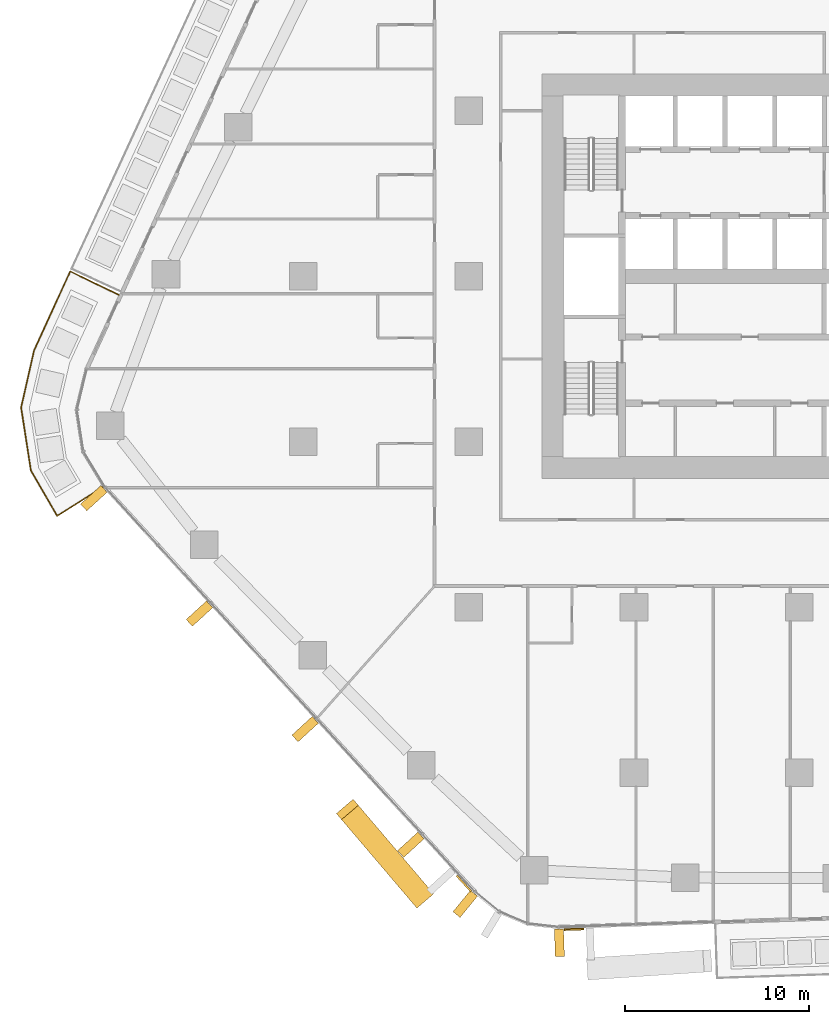
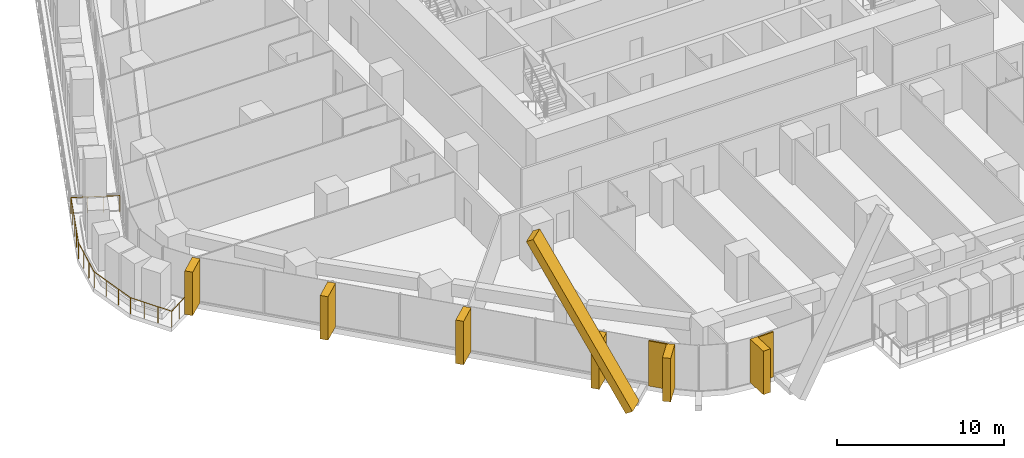
# One storey, part 21 of 27: 9 coverings, 1 railing, 3 elements without a shape of their own.
"""IFC4 building model written with IfcOpenShell, lengths in metres."""

from ifc_helpers import new_model, si_unit, direction, frame, origin, origin_2d, place, context, subcontext, project, spatial, rectangle, circle, extrude, material, layer, layer_set, material_profile, profile_set, type_object, element, aggregate, save


model = new_model("IFC4")

# Units and contexts
model_context = context("Model", 3, precision=1e-05, world=origin(), true_north=direction((0.0, 1.0)))
body_context = subcontext(model_context, "Body", "Model", "MODEL_VIEW")
ifc_project = project(units=[si_unit("LENGTHUNIT", "METRE"), si_unit("AREAUNIT", "SQUARE_METRE"), si_unit("VOLUMEUNIT", "CUBIC_METRE"), si_unit("PLANEANGLEUNIT", "RADIAN"), si_unit("MASSUNIT", "GRAM", prefix="KILO")], contexts=[model_context])

# Site, building, storey
site_placement = place(None, origin())
site = spatial("IfcSite", under=ifc_project, at=site_placement, CompositionType="ELEMENT")
building_placement = place(site_placement, origin())
building = spatial("IfcBuilding", under=site, at=building_placement, Name="Dongbaek Canopy Tower", CompositionType="ELEMENT")
storey_placement = place(building_placement, frame((0.0, 0.0, 62.5)))
storey = spatial("IfcBuildingStorey", under=building, at=storey_placement, Name="L11", CompositionType="ELEMENT", Elevation=62.5)

# Railing
ifc_material_1 = material(Name="Stainless steel", Category="steel")
railing_type = type_object("IfcRailingType", Name="Balcony balustrade 1200", PredefinedType="BALUSTRADE", material=ifc_material_1)
railing_placement = place(storey_placement, frame((-37.02880859375, -1.014892578125, 0.0)))
element("IfcRailing", 1, at=railing_placement, inside=storey, type_object=railing_type, Name="Balcony guard L11 7", PredefinedType="BALUSTRADE", context=body_context, shape_type="SweptSolid", body=[
    extrude(circle(Radius=0.02392578125, at=origin_2d()), frame((0.0, 0.0, 1.17578125), z_axis=(-0.899320695069, 0.437289706511, 0.0), x_axis=(-0.437289706511, -0.899320695069, 0.0)), (0.0, 0.0, 1.0), 2.940673828125),
    extrude(circle(Radius=0.02392578125, at=origin_2d()), frame((-2.64453125, 1.285888671875, 1.17578125), z_axis=(-0.41610370078, -0.909317166998, 0.0), x_axis=(0.909317166998, -0.41610370078, 0.0)), (0.0, 0.0, 1.0), 4.730224609375),
    extrude(circle(Radius=0.02392578125, at=origin_2d()), frame((-4.61279296875, -3.015380859375, 1.17578125), z_axis=(-0.221660802124, -0.975123832547, 0.0), x_axis=(0.975123832547, -0.221660802124, 0.0)), (0.0, 0.0, 1.0), 3.189697265625),
    extrude(circle(Radius=0.02392578125, at=origin_2d()), frame((-5.31982421875, -6.125732421875, 1.17578125), z_axis=(0.153789358191, -0.988103655143, 0.0), x_axis=(0.988103655143, 0.153789358191, 0.0)), (0.0, 0.0, 1.0), 3.473388671875),
    extrude(circle(Radius=0.02392578125, at=origin_2d()), frame((-4.78564453125, -9.557861328125, 1.17578125), z_axis=(0.50190634113, -0.864921976096, 0.0), x_axis=(0.864921976096, 0.50190634113, 0.0)), (0.0, 0.0, 1.0), 2.852783203125),
    extrude(circle(Radius=0.02392578125, at=origin_2d()), frame((-3.353759765625, -12.025390625, 1.17578125), z_axis=(0.844146612953, 0.536112391053, 0.0), x_axis=(-0.536112391053, 0.844146612953, 0.0)), (0.0, 0.0, 1.0), 2.9404296875),
    extrude(circle(Radius=0.02099609375, at=origin_2d()), origin(), (0.0, 0.0, 1.0), 1.15185546875),
    extrude(circle(Radius=0.02099609375, at=origin_2d()), frame((-0.881591796875, 0.4287109375, 0.0)), (0.0, 0.0, 1.0), 1.15185546875),
    extrude(circle(Radius=0.02099609375, at=origin_2d()), frame((-1.762939453125, 0.857177734375, 0.0)), (0.0, 0.0, 1.0), 1.15185546875),
    extrude(circle(Radius=0.02099609375, at=origin_2d()), frame((-2.64453125, 1.285888671875, 0.0)), (0.0, 0.0, 1.0), 1.15185546875),
    extrude(circle(Radius=0.02099609375, at=origin_2d()), frame((-3.13671875, 0.21044921875, 0.0)), (0.0, 0.0, 1.0), 1.15185546875),
    extrude(circle(Radius=0.02099609375, at=origin_2d()), frame((-3.628662109375, -0.86474609375, 0.0)), (0.0, 0.0, 1.0), 1.15185546875),
    extrude(circle(Radius=0.02099609375, at=origin_2d()), frame((-4.12060546875, -1.93994140625, 0.0)), (0.0, 0.0, 1.0), 1.15185546875),
    extrude(circle(Radius=0.02099609375, at=origin_2d()), frame((-4.61279296875, -3.015380859375, 0.0)), (0.0, 0.0, 1.0), 1.15185546875),
    extrude(circle(Radius=0.02099609375, at=origin_2d()), frame((-4.848388671875, -4.05224609375, 0.0)), (0.0, 0.0, 1.0), 1.15185546875),
    extrude(circle(Radius=0.02099609375, at=origin_2d()), frame((-5.084228515625, -5.0888671875, 0.0)), (0.0, 0.0, 1.0), 1.15185546875),
    extrude(circle(Radius=0.02099609375, at=origin_2d()), frame((-5.31982421875, -6.125732421875, 0.0)), (0.0, 0.0, 1.0), 1.15185546875),
    extrude(circle(Radius=0.02099609375, at=origin_2d()), frame((-5.141845703125, -7.269775390625, 0.0)), (0.0, 0.0, 1.0), 1.15185546875),
    extrude(circle(Radius=0.02099609375, at=origin_2d()), frame((-4.963623046875, -8.413818359375, 0.0)), (0.0, 0.0, 1.0), 1.15185546875),
    extrude(circle(Radius=0.02099609375, at=origin_2d()), frame((-4.78564453125, -9.557861328125, 0.0)), (0.0, 0.0, 1.0), 1.15185546875),
    extrude(circle(Radius=0.02099609375, at=origin_2d()), frame((-4.308349609375, -10.38037109375, 0.0)), (0.0, 0.0, 1.0), 1.15185546875),
    extrude(circle(Radius=0.02099609375, at=origin_2d()), frame((-3.8310546875, -11.202880859375, 0.0)), (0.0, 0.0, 1.0), 1.15185546875),
    extrude(circle(Radius=0.02099609375, at=origin_2d()), frame((-3.353759765625, -12.025390625, 0.0)), (0.0, 0.0, 1.0), 1.15185546875),
    extrude(circle(Radius=0.02099609375, at=origin_2d()), frame((-2.5263671875, -11.5, 0.0)), (0.0, 0.0, 1.0), 1.15185546875),
    extrude(circle(Radius=0.02099609375, at=origin_2d()), frame((-1.698974609375, -10.974365234375, 0.0)), (0.0, 0.0, 1.0), 1.15185546875),
    extrude(circle(Radius=0.02099609375, at=origin_2d()), frame((-0.87158203125, -10.448974609375, 0.0)), (0.0, 0.0, 1.0), 1.15185546875),
])

# Curtain wall, coverings
ifc_material_2 = material(Name="Aluminium 6063-T6 pale anodised", Category="aluminium")
ifc_layer_1 = layer(ifc_material_2, 0.199951171875)
ifc_layer_set_1 = layer_set([ifc_layer_1], Name="CW-1 unitised tower curtain wall")
curtain_wall_type = type_object("IfcCurtainWallType", Name="CW-1 unitised tower curtain wall", PredefinedType="NOTDEFINED", material=ifc_layer_set_1)
curtain_wall_1_placement = place(storey_placement, origin())
curtain_wall_1 = element("IfcCurtainWall", 2, at=curtain_wall_1_placement, inside=storey, type_object=curtain_wall_type, Name="CW-1 curtain wall F3.1", PredefinedType="NOTDEFINED")
ifc_material_3 = material(Name="Aluminium 6063-T6 pale metal fin", Category="aluminium")
ifc_material_profile_1 = material_profile(ifc_material_3, rectangle(XDim=1.199951171875, YDim=0.5, at=origin_2d()), Name="Crease fin CF1 500 x 1200 pale metal")
ifc_profile_set_1 = profile_set([ifc_material_profile_1], Name="Aluminium 6063-T6 pale metal fin")
covering_type_1 = type_object("IfcCoveringType", Name="Crease fin CF1 500 x 1200 pale metal", PredefinedType="CLADDING", material=ifc_profile_set_1)
covering_1_placement = place(storey_placement, frame((-20.498291015625, -33.822998046875, -0.199951171875), z_axis=(-0.320869545845, 0.377090033241, 0.868818647003), x_axis=(-0.761597345181, -0.648050525664, 0.0)))
covering_1 = element("IfcCovering", 3, at=covering_1_placement, type_object=covering_type_1, Name="Crease fin L11 L14 F3", PredefinedType="CLADDING", context=body_context, shape_type="SweptSolid", body=[
    extrude(rectangle(XDim=1.199951171875, YDim=0.5, at=origin_2d()), origin(), (0.0, 0.0, 1.0), 12.77587890625),
])
ifc_material_4 = material(Name="Perforated aluminium 6063-T6 pale metal screen", Category="aluminium")
ifc_layer_2 = layer(ifc_material_4, 0.10009765625)
ifc_layer_set_2 = layer_set([ifc_layer_2], Name="Facet screen FS1 100 pale metal")
covering_type_2 = type_object("IfcCoveringType", Name="Facet screen FS1 100 pale metal", PredefinedType="CLADDING", material=ifc_layer_set_2)
covering_2_placement = place(storey_placement, frame((-18.260498046875, -33.03369140625, 0.0), z_axis=(0.0, 0.0, 1.0), x_axis=(0.674959432699, -0.737854839525, 0.0)))
covering_2 = element("IfcCovering", 4, at=covering_2_placement, type_object=covering_type_2, Name="Facet screen L11 F3", PredefinedType="CLADDING", context=body_context, shape_type="SweptSolid", body=[
    extrude(rectangle(XDim=1.168212890625, YDim=0.10009765625, at=origin_2d()), origin(), (0.0, 0.0, 1.0), 3.300048828125),
])

# Curtain wall, covering
curtain_wall_2_placement = place(storey_placement, origin())
curtain_wall_2 = element("IfcCurtainWall", 5, at=curtain_wall_2_placement, inside=storey, type_object=curtain_wall_type, Name="CW-1 curtain wall F4.1", PredefinedType="NOTDEFINED")
covering_3_placement = place(storey_placement, frame((-12.269287109375, -35.529296875, 0.0), z_axis=(0.0, 0.0, 1.0), x_axis=(0.999466983225, 0.032645818153, 0.0)))
covering_3 = element("IfcCovering", 6, at=covering_3_placement, type_object=covering_type_2, Name="Facet screen L11 F4", PredefinedType="CLADDING", context=body_context, shape_type="SweptSolid", body=[
    extrude(rectangle(XDim=1.04638671875, YDim=0.10009765625, at=origin_2d()), origin(), (0.0, 0.0, 1.0), 3.300048828125),
])

# Covering
ifc_material_5 = material(Name="Aluminium 6063-T6 pale metal fin", Category="aluminium")
ifc_material_profile_2 = material_profile(ifc_material_5, rectangle(XDim=1.5, YDim=0.5, at=origin_2d()), Name="Fin FN1 500 x 1500 pale metal")
ifc_profile_set_2 = profile_set([ifc_material_profile_2], Name="Aluminium 6063-T6 pale metal fin")
covering_type_3 = type_object("IfcCoveringType", Name="Fin FN1 500 x 1500 pale metal", PredefinedType="CLADDING", material=ifc_profile_set_2)
covering_4_placement = place(storey_placement, frame((-38.39013671875, -12.0712890625, 0.1201171875), z_axis=(0.0, 0.0, 1.0), x_axis=(-0.737854848702, -0.674959422667, 0.0)))
covering_4 = element("IfcCovering", 7, at=covering_4_placement, type_object=covering_type_3, Name="Fin F3.1.1", PredefinedType="CLADDING", context=body_context, shape_type="SweptSolid", body=[
    extrude(rectangle(XDim=1.5, YDim=0.5, at=origin_2d()), origin(), (0.0, 0.0, 1.0), 3.179931640625),
])

covering_5_placement = place(storey_placement, frame((-32.645263671875, -18.351318359375, 0.1201171875), z_axis=(0.0, 0.0, 1.0), x_axis=(-0.737854848702, -0.674959422667, 0.0)))
covering_5 = element("IfcCovering", 8, at=covering_5_placement, type_object=covering_type_3, Name="Fin F3.1.3", PredefinedType="CLADDING", context=body_context, shape_type="SweptSolid", body=[
    extrude(rectangle(XDim=1.5, YDim=0.5, at=origin_2d()), origin(), (0.0, 0.0, 1.0), 3.179931640625),
])

covering_6_placement = place(storey_placement, frame((-26.89404296875, -24.638427734375, 0.1201171875), z_axis=(0.0, 0.0, 1.0), x_axis=(-0.737854848702, -0.674959422667, 0.0)))
covering_6 = element("IfcCovering", 9, at=covering_6_placement, type_object=covering_type_3, Name="Fin F3.1.5", PredefinedType="CLADDING", context=body_context, shape_type="SweptSolid", body=[
    extrude(rectangle(XDim=1.5, YDim=0.5, at=origin_2d()), origin(), (0.0, 0.0, 1.0), 3.179931640625),
])

covering_7_placement = place(storey_placement, frame((-21.142822265625, -30.92578125, 0.1201171875), z_axis=(0.0, 0.0, 1.0), x_axis=(-0.737854848702, -0.674959422667, 0.0)))
covering_7 = element("IfcCovering", 10, at=covering_7_placement, type_object=covering_type_3, Name="Fin F3.1.7", PredefinedType="CLADDING", context=body_context, shape_type="SweptSolid", body=[
    extrude(rectangle(XDim=1.5, YDim=0.5, at=origin_2d()), origin(), (0.0, 0.0, 1.0), 3.179931640625),
])

aggregate(curtain_wall_1, [covering_4, covering_5, covering_6, covering_7, covering_1, covering_2])

# Curtain wall, covering
curtain_wall_3_placement = place(storey_placement, origin())
curtain_wall_3 = element("IfcCurtainWall", 11, at=curtain_wall_3_placement, inside=storey, type_object=curtain_wall_type, Name="CW-1 curtain wall K4.1", PredefinedType="NOTDEFINED")
covering_8_placement = place(storey_placement, frame((-18.183349609375, -34.14794921875, 0.1201171875), z_axis=(0.0, 0.0, 1.0), x_axis=(-0.633547920813, -0.773703452256, 0.0)))
covering_8 = element("IfcCovering", 12, at=covering_8_placement, type_object=covering_type_3, Name="Fin K4.1.1", PredefinedType="CLADDING", context=body_context, shape_type="SweptSolid", body=[
    extrude(rectangle(XDim=1.5, YDim=0.5, at=origin_2d()), origin(), (0.0, 0.0, 1.0), 3.179931640625),
])
aggregate(curtain_wall_3, [covering_8])

# Covering
covering_9_placement = place(storey_placement, frame((-13.05908203125, -36.259521484375, 0.1201171875), z_axis=(0.0, 0.0, 1.0), x_axis=(0.032645591573, -0.999466990626, 0.0)))
covering_9 = element("IfcCovering", 13, at=covering_9_placement, type_object=covering_type_3, Name="Fin F4.1.1", PredefinedType="CLADDING", context=body_context, shape_type="SweptSolid", body=[
    extrude(rectangle(XDim=1.5, YDim=0.5, at=origin_2d()), origin(), (0.0, 0.0, 1.0), 3.179931640625),
])

aggregate(curtain_wall_2, [covering_9, covering_3])

save(model, "model.ifc")
